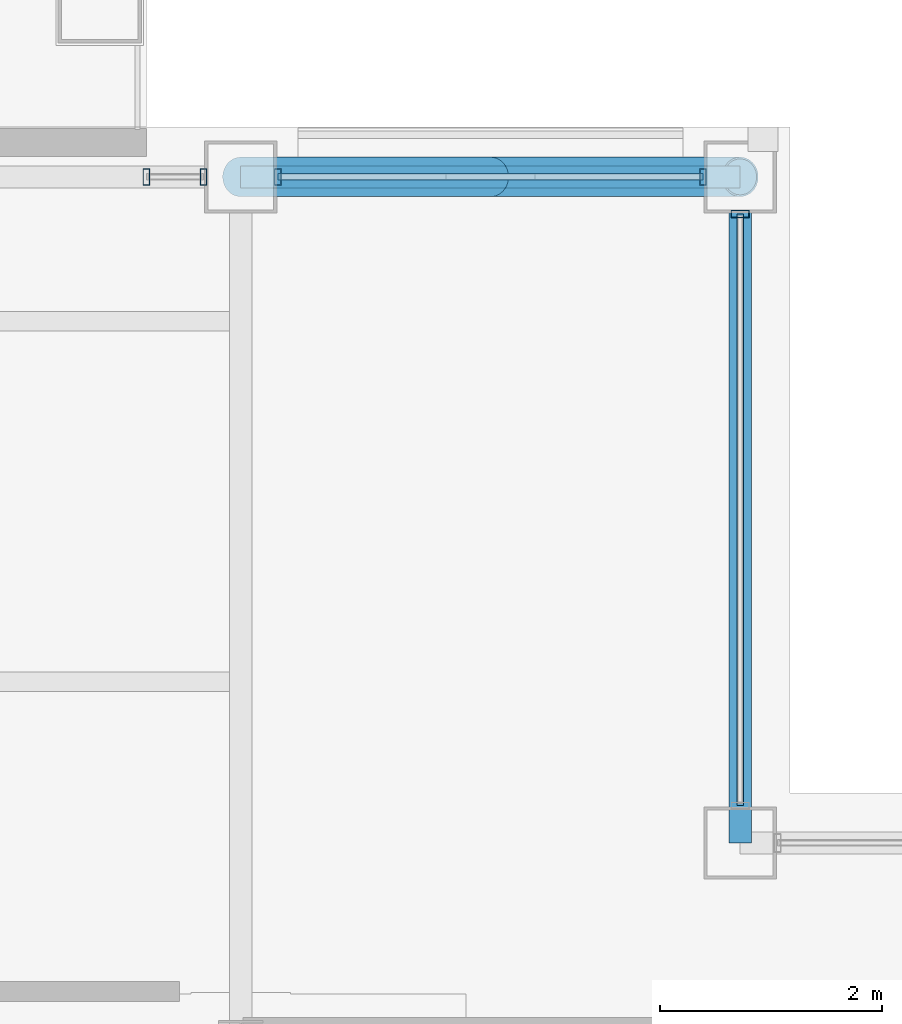
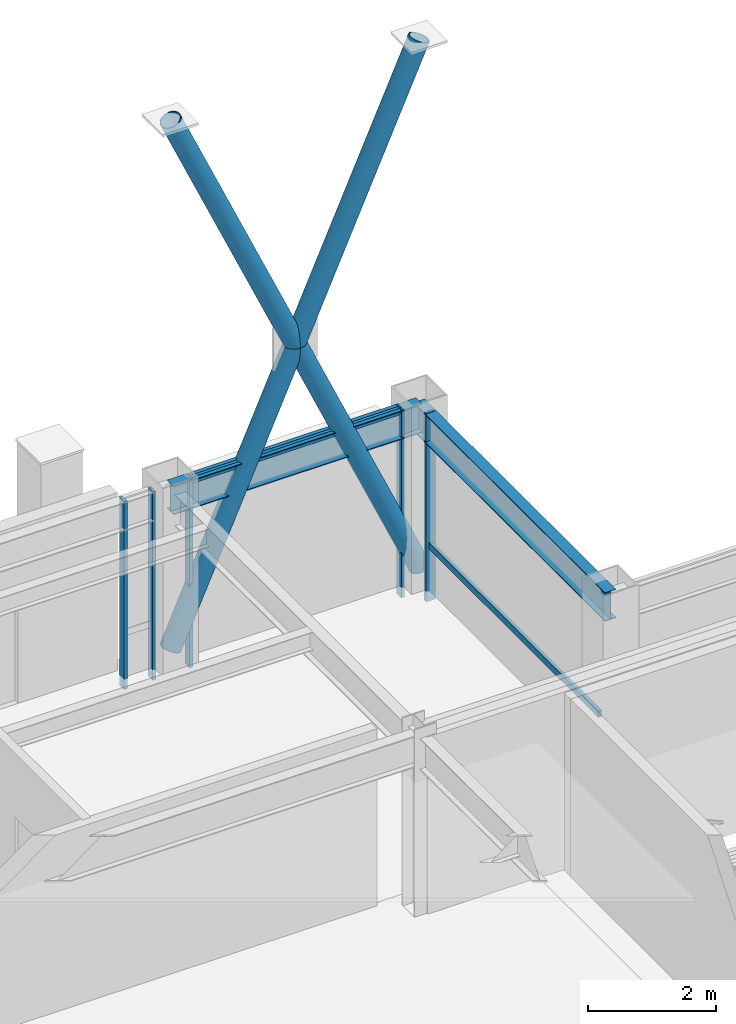
# One storey, part 22 of 30: 10 members, 2 beams, 3 elements without a shape of their own.
"""IFC4 building model written with IfcOpenShell, lengths in metres."""

import ifcopenshell
import ifcopenshell.guid

model = None  # the IFC model being written
_history = None  # IfcOwnerHistory: only IFC2X3 demands one
_inside = {}  # id of a spatial element -> (the spatial element, [elements in it])
_under = {}  # id of a project, library or spatial element -> (it, [spatial elements below it])
_declared = {}  # id of a project -> (the project, [libraries it declares])
_typed = {}  # id of a type object -> (the type object, [elements of that type])
_made_of = {}  # id of a material, layer set ... -> (it, [elements and type objects made of it])


def new_model(schema):
    """Start an empty IFC model of exactly this schema.

    Asked for "IFC4X3", IfcOpenShell would pick the latest addendum, in which some entities
    have other attributes; the version numbers below select the first issue.
    IFC2X3 requires an IfcOwnerHistory on every rooted entity: one is made here for all.
    """
    global model, _history
    if schema == "IFC4X3":
        model = ifcopenshell.file(schema_version=(4, 3, 0, 0))
    else:
        model = ifcopenshell.file(schema=schema)
    _inside.clear()
    _under.clear()
    _declared.clear()
    _typed.clear()
    _made_of.clear()
    _history = None
    if model.schema == "IFC2X3":
        org = make("IfcOrganization", Name="unknown")
        user = make(
            "IfcPersonAndOrganization",
            ThePerson=make("IfcPerson", FamilyName="unknown"),
            TheOrganization=org,
        )
        app = make(
            "IfcApplication",
            ApplicationDeveloper=org,
            Version="unknown",
            ApplicationFullName="unknown",
            ApplicationIdentifier="unknown",
        )
        _history = make(
            "IfcOwnerHistory",
            OwningUser=user,
            OwningApplication=app,
            ChangeAction="ADDED",
            CreationDate=0,
        )
    return model


def make(cls, **values):
    """One entity of the class cls with the attributes given. An attribute that is None is left unset."""
    return model.create_entity(
        cls, **{name: value for name, value in values.items() if value is not None}
    )


def rooted(cls, **values):
    """An entity with a GlobalId (a new one), such as an element, a storey or a relation."""
    return make(cls, GlobalId=ifcopenshell.guid.new(), OwnerHistory=_history, **values)


def si_unit(unit_type, name, prefix=None):
    """IfcSIUnit, for example si_unit("LENGTHUNIT", "METRE", prefix="MILLI")."""
    return make("IfcSIUnit", UnitType=unit_type, Prefix=prefix, Name=name)


def assignment(units):
    """IfcUnitAssignment: the units of a project."""
    return None if units is None else make("IfcUnitAssignment", Units=units)


def point(xyz):
    """IfcCartesianPoint."""
    return None if xyz is None else make("IfcCartesianPoint", Coordinates=xyz)


def direction(xyz):
    """IfcDirection."""
    return None if xyz is None else make("IfcDirection", DirectionRatios=xyz)


def frame(location, z_axis=None, x_axis=None):
    """IfcAxis2Placement3D, a coordinate frame: its origin and axes. An axis left out is left unset."""
    return make(
        "IfcAxis2Placement3D",
        Location=point(location),
        Axis=direction(z_axis),
        RefDirection=direction(x_axis),
    )


def frame_2d(location, x_axis=None):
    """IfcAxis2Placement2D, a coordinate frame in the plane: its origin and x axis."""
    return make(
        "IfcAxis2Placement2D", Location=point(location), RefDirection=direction(x_axis)
    )


def origin():
    """The frame at (0, 0, 0) with its axes left unset."""
    return frame((0.0, 0.0, 0.0))


def origin_2d():
    """The frame at (0, 0) in the plane with its x axis left unset."""
    return frame_2d((0.0, 0.0))


def place(relative_to, where):
    """IfcLocalPlacement: puts the frame where relative to a parent placement (None: the world)."""
    return make(
        "IfcLocalPlacement", PlacementRelTo=relative_to, RelativePlacement=where
    )


def context(
    kind, dimensions, precision=None, world=None, true_north=None, identifier=None
):
    """IfcGeometricRepresentationContext, for example the 3D "Model" context."""
    return make(
        "IfcGeometricRepresentationContext",
        ContextIdentifier=identifier,
        ContextType=kind,
        CoordinateSpaceDimension=dimensions,
        Precision=precision,
        WorldCoordinateSystem=world,
        TrueNorth=true_north,
    )


def subcontext(parent, identifier, kind, view, scale=None):
    """IfcGeometricRepresentationSubContext, for example "Body" below "Model"."""
    return make(
        "IfcGeometricRepresentationSubContext",
        ContextIdentifier=identifier,
        ContextType=kind,
        ParentContext=parent,
        TargetScale=scale,
        TargetView=view,
    )


def project(units=None, contexts=None):
    """IfcProject with its units and contexts."""
    return rooted(
        "IfcProject",
        Name="project",
        RepresentationContexts=contexts,
        UnitsInContext=assignment(units),
    )


def spatial(cls, under=None, at=None, **own):
    """A site, building, storey or space (cls), placed at a placement, below another one or the project."""
    s = rooted(cls, ObjectPlacement=at, **own)
    if under is not None:
        _under.setdefault(under.id(), (under, []))[1].append(s)
    return s


def profile(cls, at=None, kind="AREA", **sizes):
    """A parametric profile (cls). Its sizes go by their IFC names, for example OverallWidth=200.0."""
    return make(cls, ProfileType=kind, Position=at, **sizes)


def hollow_rectangle(**sizes):
    """IfcRectangleHollowProfileDef."""
    return profile("IfcRectangleHollowProfileDef", **sizes)


def hollow_circle(**sizes):
    """IfcCircleHollowProfileDef."""
    return profile("IfcCircleHollowProfileDef", **sizes)


def i_section(**sizes):
    """IfcIShapeProfileDef."""
    return profile("IfcIShapeProfileDef", **sizes)


def extrude(swept, where, along, depth):
    """IfcExtrudedAreaSolid: the profile swept, set in the frame where, extruded along a direction by depth."""
    return make(
        "IfcExtrudedAreaSolid",
        SweptArea=swept,
        Position=where,
        ExtrudedDirection=direction(along),
        Depth=depth,
    )


def shape(context_of_items, identifier, shape_type, items):
    """IfcShapeRepresentation: the items that make up one representation, for example the "Body"."""
    return make(
        "IfcShapeRepresentation",
        ContextOfItems=context_of_items,
        RepresentationIdentifier=identifier,
        RepresentationType=shape_type,
        Items=items,
    )


def material(Name=None, Category=None):
    """IfcMaterial."""
    return make("IfcMaterial", Name=Name, Category=Category)


def layer(
    of_material, thickness, ventilated=None, Name=None, Category=None, Priority=None
):
    """IfcMaterialLayer: one layer of a wall or slab, of a material (None: an air gap)."""
    return make(
        "IfcMaterialLayer",
        Material=of_material,
        LayerThickness=thickness,
        IsVentilated=ventilated,
        Name=Name,
        Category=Category,
        Priority=Priority,
    )


def layer_set(layers, Name=None):
    """IfcMaterialLayerSet."""
    return make("IfcMaterialLayerSet", MaterialLayers=layers, LayerSetName=Name)


def material_profile(
    of_material, cross_section, Name=None, Category=None, Priority=None
):
    """IfcMaterialProfile: a cross section and its material."""
    return make(
        "IfcMaterialProfile",
        Name=Name,
        Material=of_material,
        Profile=cross_section,
        Priority=Priority,
        Category=Category,
    )


def profile_set(profiles, Name=None, composite=None):
    """IfcMaterialProfileSet."""
    return make(
        "IfcMaterialProfileSet",
        Name=Name,
        MaterialProfiles=profiles,
        CompositeProfile=composite,
    )


def made_of(thing, what):
    """Note that an element or type object is made of a material, layer set ...; save() writes the relation."""
    if what is not None:
        _made_of.setdefault(what.id(), (what, []))[1].append(thing)
    return thing


def type_object(cls, material=None, **own):
    """A type object (cls), such as IfcWallType, which elements share."""
    return made_of(rooted(cls, **own), material)


def element(
    cls,
    number,
    at=None,
    inside=None,
    cuts=None,
    type_object=None,
    material=None,
    context=None,
    identifier="Body",
    shape_type=None,
    held_by="IfcProductDefinitionShape",
    body=None,
    shapes=None,
    **own,
):
    """One element of the class cls, such as IfcWall. Its Tag is "e" and its number.

    at: its placement. inside: the storey or other place that contains it. cuts: it is an
    opening in that element (IfcRelVoidsElement). A single representation is given by context,
    identifier, shape_type and body (its items); several are given by shapes. held_by: the class
    of the entity that holds the representations. save() writes the other relations.
    """
    e = rooted(cls, Tag="e%d" % number, ObjectPlacement=at, **own)
    if body is not None:
        shapes = [shape(context, identifier, shape_type, body)]
    if shapes is not None:
        e.Representation = make(held_by, Representations=shapes)
    if inside is not None:
        _inside.setdefault(inside.id(), (inside, []))[1].append(e)
    if cuts is not None:
        rooted(
            "IfcRelVoidsElement", RelatingBuildingElement=cuts, RelatedOpeningElement=e
        )
    if type_object is not None:
        _typed.setdefault(type_object.id(), (type_object, []))[1].append(e)
    return made_of(e, material)


def aggregate(whole, parts):
    """IfcRelAggregates: a whole, such as a stair, and the parts it consists of."""
    return rooted("IfcRelAggregates", RelatingObject=whole, RelatedObjects=parts)


def save(model, path):
    """Write the relations noted so far, then the file.

    IfcRelAggregates (storeys below a building ...), IfcRelContainedInSpatialStructure (elements
    in a storey), IfcRelDefinesByType, IfcRelAssociatesMaterial and IfcRelDeclares: one each for
    every whole, place, type object, material and project.
    """
    for whole, parts in _under.values():
        aggregate(whole, parts)
    for where, things in _inside.values():
        rooted(
            "IfcRelContainedInSpatialStructure",
            RelatedElements=things,
            RelatingStructure=where,
        )
    for kind, things in _typed.values():
        rooted("IfcRelDefinesByType", RelatedObjects=things, RelatingType=kind)
    for what, things in _made_of.values():
        rooted("IfcRelAssociatesMaterial", RelatedObjects=things, RelatingMaterial=what)
    for by, libraries in _declared.values():
        rooted("IfcRelDeclares", RelatingContext=by, RelatedDefinitions=libraries)
    model.write(path)


model = new_model("IFC4")

# Units and contexts
model_context = context("Model", 3, precision=1e-05, world=origin(), true_north=direction((0.0, 1.0)))
body_context = subcontext(model_context, "Body", "Model", "MODEL_VIEW")
ifc_project = project(units=[si_unit("LENGTHUNIT", "METRE"), si_unit("AREAUNIT", "SQUARE_METRE"), si_unit("VOLUMEUNIT", "CUBIC_METRE"), si_unit("PLANEANGLEUNIT", "RADIAN"), si_unit("MASSUNIT", "GRAM", prefix="KILO")], contexts=[model_context])

# Site, building, storey
site_placement = place(None, origin())
site = spatial("IfcSite", under=ifc_project, at=site_placement, CompositionType="ELEMENT")
building_placement = place(site_placement, origin())
building = spatial("IfcBuilding", under=site, at=building_placement, Name="Brelmoor Portico Tower", CompositionType="ELEMENT")
storey_placement = place(building_placement, frame((0.0, 0.0, 236.39990234375)))
storey = spatial("IfcBuildingStorey", under=building, at=storey_placement, Name="L62", CompositionType="ELEMENT", Elevation=236.39990234375)

# Beams
ifc_material_1 = material(Name="Steel Q355B", Category="steel")
ifc_material_profile_1 = material_profile(ifc_material_1, i_section(OverallWidth=0.199951171875, OverallDepth=0.550048828125, WebThickness=0.010009765625, FlangeThickness=0.01611328125, at=origin_2d()), Name="HN 550x200x10x16")
ifc_profile_set_1 = profile_set([ifc_material_profile_1], Name="Steel Q355B")
beam_type = type_object("IfcBeamType", Name="BM-SP-550", PredefinedType="SPANDREL", material=ifc_profile_set_1)
beam_1_placement = place(storey_placement, frame((8.050048828125, 17.550048828125, 3.125), z_axis=(1.0, 0.0, 0.0), x_axis=(0.0, 1.0, 0.0)))
element("IfcBeam", 1, at=beam_1_placement, inside=storey, type_object=beam_type, Name="L62 Perimeter Spandrel Beam SP-10", PredefinedType="SPANDREL", context=body_context, shape_type="SweptSolid", body=[
    extrude(i_section(OverallWidth=0.199951171875, OverallDepth=0.550048828125, WebThickness=0.010009765625, FlangeThickness=0.01611328125, at=origin_2d()), origin(), (0.0, 0.0, 1.0), 4.5),
])
beam_2_placement = place(storey_placement, frame((12.550048828125, 11.550048828125, 3.125), z_axis=(0.0, 1.0, 0.0), x_axis=(-1.0, 0.0, 0.0)))
element("IfcBeam", 2, at=beam_2_placement, inside=storey, type_object=beam_type, Name="L62 Perimeter Spandrel Beam SP-17", PredefinedType="SPANDREL", context=body_context, shape_type="SweptSolid", body=[
    extrude(i_section(OverallWidth=0.199951171875, OverallDepth=0.550048828125, WebThickness=0.010009765625, FlangeThickness=0.01611328125, at=origin_2d()), origin(), (0.0, 0.0, 1.0), 6.0),
])

# Members
ifc_material_profile_2 = material_profile(ifc_material_1, hollow_circle(Radius=0.177978515625, WallThickness=0.01611328125, at=origin_2d()), Name="CHS 356x16")
ifc_profile_set_2 = profile_set([ifc_material_profile_2], Name="Steel Q355B")
member_type_1 = type_object("IfcMemberType", Name="MB-BELT-DIAG2", PredefinedType="BRACE", material=ifc_profile_set_2)
member_1_placement = place(storey_placement, frame((8.050048828125, 17.550048828125, 0.25), z_axis=(0.406974140277, 0.0, 0.913439680081), x_axis=(0.0, 1.0, 0.0)))
element("IfcMember", 3, at=member_1_placement, inside=storey, type_object=member_type_1, Name="L62 Continuous Mega-X Brace 143A", PredefinedType="BRACE", context=body_context, shape_type="SweptSolid", body=[
    extrude(hollow_circle(Radius=0.177978515625, WallThickness=0.01611328125, at=origin_2d()), origin(), (0.0, 0.0, 1.0), 11.05712890625),
])
for number, where, z_axis, x_axis, name in (
    (4, (12.550048828125, 17.550048828125, 0.25), (-0.406974140277, 0.0, 0.913439680081), (0.0, -1.0, 0.0), "L62 Split Mega-X Brace 143B1"),
    (5, (10.300048828125, 17.550048828125, 5.300048828125), (-0.406974140277, 0.0, 0.913439680081), (0.0, -1.0, 0.0), "L62 Split Mega-X Brace 143B2"),
):
    element("IfcMember", number, at=place(storey_placement, frame(where, z_axis=z_axis, x_axis=x_axis)), inside=storey, type_object=member_type_1, Name=name, PredefinedType="BRACE", context=body_context, shape_type="SweptSolid", body=[
        extrude(hollow_circle(Radius=0.177978515625, WallThickness=0.01611328125, at=origin_2d()), origin(), (0.0, 0.0, 1.0), 5.528564453125),
    ])

# Curtain wall, members
ifc_material_2 = material(Name="Anodised Aluminium Alloy 6063-T6", Category="aluminium")
ifc_layer_1 = layer(ifc_material_2, 0.179931640625)
ifc_layer_set_1 = layer_set([ifc_layer_1], Name="Anodised Aluminium Alloy 6063-T6")
curtain_wall_type_1 = type_object("IfcCurtainWallType", Name="CW-TOWER-Z4", PredefinedType="NOTDEFINED", material=ifc_layer_set_1)
curtain_wall_1_placement = place(storey_placement, origin())
curtain_wall_1 = element("IfcCurtainWall", 6, at=curtain_wall_1_placement, inside=storey, type_object=curtain_wall_type_1, Name="L62 Curtain Wall CW-L62-2R-1", PredefinedType="NOTDEFINED")
ifc_material_profile_3 = material_profile(ifc_material_2, hollow_rectangle(XDim=0.06005859375, YDim=0.14990234375, WallThickness=0.00390625, at=origin_2d()), Name="ALU MULLION 60x150")
ifc_profile_set_3 = profile_set([ifc_material_profile_3], Name="Anodised Aluminium Alloy 6063-T6")
member_type_2 = type_object("IfcMemberType", Name="MB-CW-MULL-150", PredefinedType="MULLION", material=ifc_profile_set_3)
member_2_placement = place(storey_placement, frame((7.199951171875, 17.550048828125, -0.199951171875), z_axis=(0.0, 0.0, 1.0), x_axis=(1.0, 0.0, 0.0)))
member_2 = element("IfcMember", 7, at=member_2_placement, type_object=member_type_2, Name="CW-L62-2R-1 Mullion 00", PredefinedType="MULLION", context=body_context, shape_type="SweptSolid", body=[
    extrude(hollow_rectangle(XDim=0.06005859375, YDim=0.14990234375, WallThickness=0.00390625, at=origin_2d()), origin(), (0.0, 0.0, 1.0), 3.60009765625),
])
member_3_placement = place(storey_placement, frame((7.715087890625, 17.550048828125, -0.199951171875), z_axis=(0.0, 0.0, 1.0), x_axis=(1.0, 0.0, 0.0)))
member_3 = element("IfcMember", 8, at=member_3_placement, type_object=member_type_2, Name="CW-L62-2R-1 Mullion 01", PredefinedType="MULLION", context=body_context, shape_type="SweptSolid", body=[
    extrude(hollow_rectangle(XDim=0.06005859375, YDim=0.14990234375, WallThickness=0.00390625, at=origin_2d()), origin(), (0.0, 0.0, 1.0), 3.60009765625),
])
aggregate(curtain_wall_1, [member_2, member_3])

ifc_layer_2 = layer(ifc_material_2, 0.179931640625)
ifc_layer_set_2 = layer_set([ifc_layer_2], Name="Anodised Aluminium Alloy 6063-T6")
curtain_wall_type_2 = type_object("IfcCurtainWallType", Name="CW-TOWER-Z4-XB", PredefinedType="NOTDEFINED", material=ifc_layer_set_2)
curtain_wall_2_placement = place(storey_placement, origin())
curtain_wall_2 = element("IfcCurtainWall", 9, at=curtain_wall_2_placement, inside=storey, type_object=curtain_wall_type_2, Name="L62 Curtain Wall CW-L62-2R-2", PredefinedType="NOTDEFINED")
member_4_placement = place(storey_placement, frame((8.385009765625, 17.550048828125, -0.199951171875), z_axis=(0.0, 0.0, 1.0), x_axis=(1.0, 0.0, 0.0)))
member_4 = element("IfcMember", 10, at=member_4_placement, type_object=member_type_2, Name="CW-L62-2R-2 Mullion 00", PredefinedType="MULLION", context=body_context, shape_type="SweptSolid", body=[
    extrude(hollow_rectangle(XDim=0.06005859375, YDim=0.14990234375, WallThickness=0.00390625, at=origin_2d()), origin(), (0.0, 0.0, 1.0), 3.60009765625),
])
member_5_placement = place(storey_placement, frame((12.215087890625, 17.550048828125, -0.199951171875), z_axis=(0.0, 0.0, 1.0), x_axis=(1.0, 0.0, 0.0)))
member_5 = element("IfcMember", 11, at=member_5_placement, type_object=member_type_2, Name="CW-L62-2R-2 Mullion 01", PredefinedType="MULLION", context=body_context, shape_type="SweptSolid", body=[
    extrude(hollow_rectangle(XDim=0.06005859375, YDim=0.14990234375, WallThickness=0.00390625, at=origin_2d()), origin(), (0.0, 0.0, 1.0), 3.60009765625),
])

# Curtain wall, member
ifc_layer_3 = layer(ifc_material_2, 0.179931640625)
ifc_layer_set_3 = layer_set([ifc_layer_3], Name="Anodised Aluminium Alloy 6063-T6")
curtain_wall_type_3 = type_object("IfcCurtainWallType", Name="CW-NOTCH-CHAMFER", PredefinedType="NOTDEFINED", material=ifc_layer_set_3)
curtain_wall_3_placement = place(storey_placement, origin())
curtain_wall_3 = element("IfcCurtainWall", 12, at=curtain_wall_3_placement, inside=storey, type_object=curtain_wall_type_3, Name="L62 Curtain Wall CWN-L62-NEV", PredefinedType="NOTDEFINED")
ifc_material_profile_4 = material_profile(ifc_material_2, hollow_rectangle(XDim=0.06494140625, YDim=0.1650390625, WallThickness=0.00390625, at=origin_2d()), Name="ALU MULLION 65x165")
ifc_profile_set_4 = profile_set([ifc_material_profile_4], Name="Anodised Aluminium Alloy 6063-T6")
member_type_3 = type_object("IfcMemberType", Name="MB-CW-MULL-165", PredefinedType="MULLION", material=ifc_profile_set_4)
member_6_placement = place(storey_placement, frame((12.550048828125, 17.215087890625, -0.199951171875), z_axis=(0.0, 0.0, 1.0), x_axis=(0.0, 1.0, 0.0)))
member_6 = element("IfcMember", 13, at=member_6_placement, type_object=member_type_3, Name="CWN-L62-NEV Mullion 01", PredefinedType="MULLION", context=body_context, shape_type="SweptSolid", body=[
    extrude(hollow_rectangle(XDim=0.06494140625, YDim=0.1650390625, WallThickness=0.00390625, at=origin_2d()), origin(), (0.0, 0.0, 1.0), 3.60009765625),
])

# Member
ifc_material_profile_5 = material_profile(ifc_material_2, hollow_rectangle(XDim=0.06005859375, YDim=0.125, WallThickness=0.00341796875, at=origin_2d()), Name="ALU TRANSOM 60x125")
ifc_profile_set_5 = profile_set([ifc_material_profile_5], Name="Anodised Aluminium Alloy 6063-T6")
member_type_4 = type_object("IfcMemberType", Name="MB-CW-TRAN-125", PredefinedType="USERDEFINED", material=ifc_profile_set_5)
member_7_placement = place(storey_placement, frame((8.385009765625, 17.550048828125, 3.337646484375), z_axis=(1.0, 0.0, 0.0), x_axis=(0.0, 1.0, 0.0)))
member_7 = element("IfcMember", 14, at=member_7_placement, type_object=member_type_4, Name="CW-L62-2R-2 Transom 1-00", ObjectType="TRANSOM", PredefinedType="USERDEFINED", context=body_context, shape_type="SweptSolid", body=[
    extrude(hollow_rectangle(XDim=0.06005859375, YDim=0.125, WallThickness=0.00341796875, at=origin_2d()), origin(), (0.0, 0.0, 1.0), 3.830078125),
])

aggregate(curtain_wall_2, [member_4, member_5, member_7])

member_8_placement = place(storey_placement, frame((12.550048828125, 11.885009765625, 0.85009765625), z_axis=(0.0, 1.0, 0.0), x_axis=(-1.0, 0.0, 0.0)))
member_8 = element("IfcMember", 15, at=member_8_placement, type_object=member_type_4, Name="CWN-L62-NEV Transom 1-00", ObjectType="TRANSOM", PredefinedType="USERDEFINED", context=body_context, shape_type="SweptSolid", body=[
    extrude(hollow_rectangle(XDim=0.06005859375, YDim=0.125, WallThickness=0.00341796875, at=origin_2d()), origin(), (0.0, 0.0, 1.0), 5.330078125),
])

aggregate(curtain_wall_3, [member_6, member_8])

save(model, "model.ifc")
